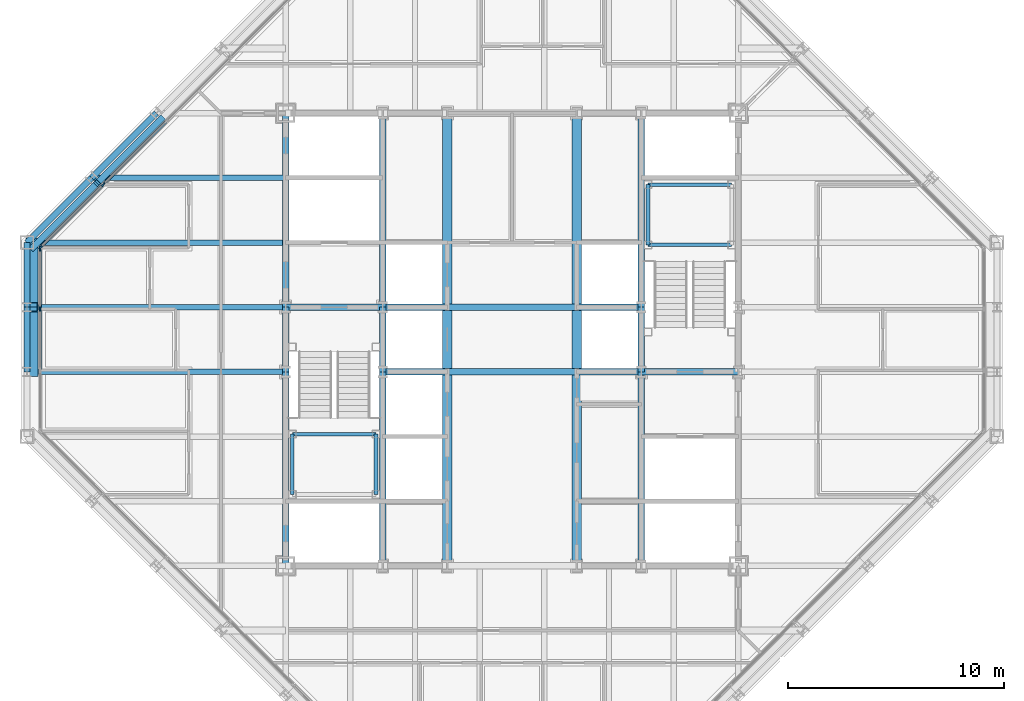
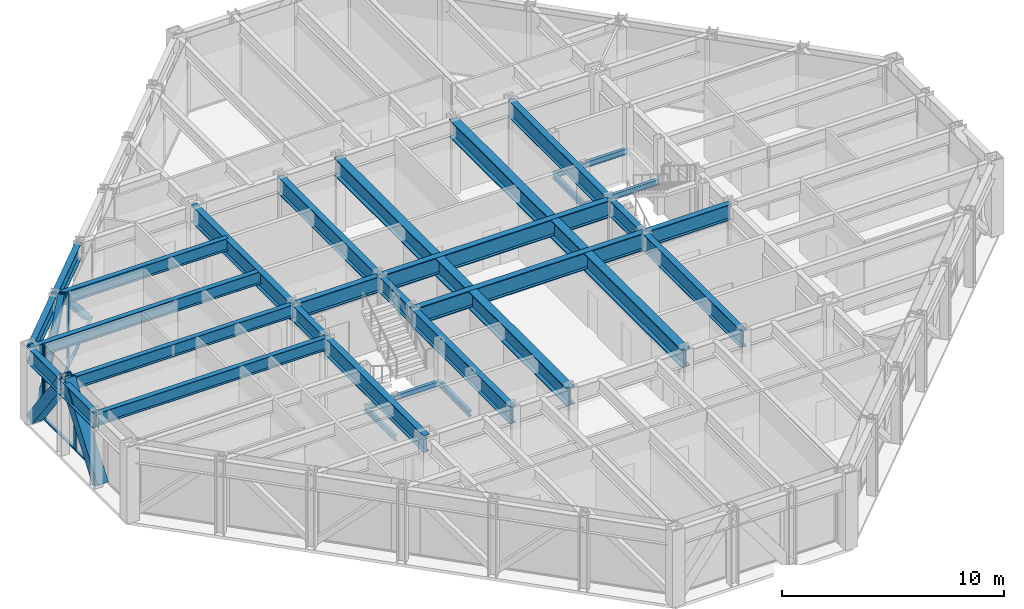
# One storey, part 6 of 15: 33 beams, 12 members, 2 elements without a shape of their own.
"""IFC4 building model written with IfcOpenShell, lengths in metres."""

from ifc_helpers import new_model, si_unit, direction, frame, origin, origin_2d, place, context, subcontext, project, spatial, rectangle, hollow_rectangle, i_section, extrude, material, layer, layer_set, material_profile, profile_set, type_object, element, aggregate, save


model = new_model("IFC4")

# Units and contexts
model_context = context("Model", 3, precision=1e-05, world=origin(), true_north=direction((0.0, 1.0)))
body_context = subcontext(model_context, "Body", "Model", "MODEL_VIEW")
ifc_project = project(units=[si_unit("LENGTHUNIT", "METRE"), si_unit("AREAUNIT", "SQUARE_METRE"), si_unit("VOLUMEUNIT", "CUBIC_METRE"), si_unit("PLANEANGLEUNIT", "RADIAN"), si_unit("MASSUNIT", "GRAM", prefix="KILO")], contexts=[model_context])

# Site, building, storey
site_placement = place(None, origin())
site = spatial("IfcSite", under=ifc_project, at=site_placement, CompositionType="ELEMENT")
building_placement = place(site_placement, origin())
building = spatial("IfcBuilding", under=site, at=building_placement, Name="Chuquiago Exchange Tower", CompositionType="ELEMENT")
storey_placement = place(building_placement, frame((0.0, 0.0, 274.800048828125)))
storey = spatial("IfcBuildingStorey", under=building, at=storey_placement, Name="L61", CompositionType="ELEMENT", Elevation=274.800048828125)

# Beams
ifc_material_1 = material(Name="Steel ASTM A992", Category="steel")
ifc_material_profile_1 = material_profile(ifc_material_1, i_section(OverallWidth=0.25390625, OverallDepth=0.683349609375, WebThickness=0.012451171875, FlangeThickness=0.018798828125, at=origin_2d()), Name="W27X94")
ifc_profile_set_1 = profile_set([ifc_material_profile_1], Name="Steel ASTM A992")
beam_type_1 = type_object("IfcBeamType", Name="B1 W27X94", PredefinedType="BEAM", material=ifc_profile_set_1)
for number, where, z_axis, x_axis, name in (
    (1, (12.0, 21.0, 3.6982421875), (-1.0, 0.0, 0.0), (0.0, -1.0, 0.0), "FB-L62-infill-12_21--0_21-0"),
    (2, (12.0, 24.0, 3.6982421875), (-1.0, 0.0, 0.0), (0.0, -1.0, 0.0), "FB-L62-infill-12_24--0_24-0"),
    (3, (12.0, 27.0, 3.6982421875), (-1.0, 0.0, 0.0), (0.0, -1.0, 0.0), "FB-L62-infill-12_27--0_27-0"),
):
    element("IfcBeam", number, at=place(storey_placement, frame(where, z_axis=z_axis, x_axis=x_axis)), inside=storey, type_object=beam_type_1, Name=name, PredefinedType="BEAM", context=body_context, shape_type="SweptSolid", body=[
        extrude(i_section(OverallWidth=0.25390625, OverallDepth=0.683349609375, WebThickness=0.012451171875, FlangeThickness=0.018798828125, at=origin_2d()), origin(), (0.0, 0.0, 1.0), 12.0),
    ])
beam_1_placement = place(storey_placement, frame((12.0, 30.0, 3.6982421875), z_axis=(-1.0, 0.0, 0.0), x_axis=(0.0, -1.0, 0.0)))
element("IfcBeam", 4, at=beam_1_placement, inside=storey, type_object=beam_type_1, Name="FB-L62-infill-12_30-3_30-0", PredefinedType="BEAM", context=body_context, shape_type="SweptSolid", body=[
    extrude(i_section(OverallWidth=0.25390625, OverallDepth=0.683349609375, WebThickness=0.012451171875, FlangeThickness=0.018798828125, at=origin_2d()), origin(), (0.0, 0.0, 1.0), 9.0),
])
ifc_material_2 = material(Name="Steel ASTM A992", Category="steel")
ifc_material_profile_2 = material_profile(ifc_material_2, i_section(OverallWidth=0.307373046875, OverallDepth=0.927001953125, WebThickness=0.01953125, FlangeThickness=0.031982421875, at=origin_2d()), Name="W36X194")
ifc_profile_set_2 = profile_set([ifc_material_profile_2], Name="Steel ASTM A992")
beam_type_2 = type_object("IfcBeamType", Name="B10 W36X194", PredefinedType="BEAM", material=ifc_profile_set_2)
for number, where, z_axis, x_axis, name in (
    (5, (12.0, 12.0, 3.576416015625), (0.0, 1.0, 0.0), (-1.0, 0.0, 0.0), "CB-L62-12_12-12_21"),
    (6, (12.0, 24.0, 3.576416015625), (0.0, 1.0, 0.0), (-1.0, 0.0, 0.0), "CB-L62-12_24-12_33"),
    (7, (16.5, 12.0, 3.576416015625), (0.0, 1.0, 0.0), (-1.0, 0.0, 0.0), "CB-L62-16.5_12-16.5_21"),
    (8, (16.5, 24.0, 3.576416015625), (0.0, 1.0, 0.0), (-1.0, 0.0, 0.0), "CB-L62-16.5_24-16.5_33"),
    (9, (28.5, 12.0, 3.576416015625), (0.0, 1.0, 0.0), (-1.0, 0.0, 0.0), "CB-L62-28.5_12-28.5_21"),
    (10, (28.5, 24.0, 3.576416015625), (0.0, 1.0, 0.0), (-1.0, 0.0, 0.0), "CB-L62-28.5_24-28.5_33"),
):
    element("IfcBeam", number, at=place(storey_placement, frame(where, z_axis=z_axis, x_axis=x_axis)), inside=storey, type_object=beam_type_2, Name=name, PredefinedType="BEAM", context=body_context, shape_type="SweptSolid", body=[
        extrude(i_section(OverallWidth=0.307373046875, OverallDepth=0.927001953125, WebThickness=0.01953125, FlangeThickness=0.031982421875, at=origin_2d()), origin(), (0.0, 0.0, 1.0), 9.0),
    ])
ifc_material_3 = material(Name="Steel ASTM A992", Category="steel")
ifc_material_profile_3 = material_profile(ifc_material_3, i_section(OverallWidth=0.309814453125, OverallDepth=0.949951171875, WebThickness=0.0244140625, FlangeThickness=0.0439453125, at=origin_2d()), Name="W36X256")
ifc_profile_set_3 = profile_set([ifc_material_profile_3], Name="Steel ASTM A992")
beam_type_3 = type_object("IfcBeamType", Name="B11 W36X256", PredefinedType="BEAM", material=ifc_profile_set_3)
for number, where, z_axis, x_axis, name in (
    (11, (16.5, 21.0, 3.56494140625), (1.0, 0.0, 0.0), (0.0, 1.0, 0.0), "CB-L62-16.5_21-28.5_21"),
    (12, (16.5, 24.0, 3.56494140625), (1.0, 0.0, 0.0), (0.0, 1.0, 0.0), "CB-L62-16.5_24-28.5_24"),
):
    element("IfcBeam", number, at=place(storey_placement, frame(where, z_axis=z_axis, x_axis=x_axis)), inside=storey, type_object=beam_type_3, Name=name, PredefinedType="BEAM", context=body_context, shape_type="SweptSolid", body=[
        extrude(i_section(OverallWidth=0.309814453125, OverallDepth=0.949951171875, WebThickness=0.0244140625, FlangeThickness=0.0439453125, at=origin_2d()), origin(), (0.0, 0.0, 1.0), 12.0),
    ])
ifc_material_4 = material(Name="Steel ASTM A992", Category="steel")
ifc_material_profile_4 = material_profile(ifc_material_4, i_section(OverallWidth=0.4267578125, OverallDepth=0.975341796875, WebThickness=0.031005859375, FlangeThickness=0.055908203125, at=origin_2d()), Name="W36X395")
ifc_profile_set_4 = profile_set([ifc_material_profile_4], Name="Steel ASTM A992")
beam_type_4 = type_object("IfcBeamType", Name="B12 W36X395", PredefinedType="BEAM", material=ifc_profile_set_4)
beam_2_placement = place(storey_placement, frame((19.5, 12.0, 3.55224609375), z_axis=(0.0, 1.0, 0.0), x_axis=(-1.0, 0.0, 0.0)))
element("IfcBeam", 13, at=beam_2_placement, inside=storey, type_object=beam_type_4, Name="CB-L62-19.5_12-19.5_20.8451", PredefinedType="BEAM", context=body_context, shape_type="SweptSolid", body=[
    extrude(i_section(OverallWidth=0.4267578125, OverallDepth=0.975341796875, WebThickness=0.031005859375, FlangeThickness=0.055908203125, at=origin_2d()), origin(), (0.0, 0.0, 1.0), 8.84521484375),
])
beam_3_placement = place(storey_placement, frame((19.5, 21.15478515625, 3.55224609375), z_axis=(0.0, 1.0, 0.0), x_axis=(-1.0, 0.0, 0.0)))
element("IfcBeam", 14, at=beam_3_placement, inside=storey, type_object=beam_type_4, Name="CB-L62-19.5_21.1549-19.5_23.8451", PredefinedType="BEAM", context=body_context, shape_type="SweptSolid", body=[
    extrude(i_section(OverallWidth=0.4267578125, OverallDepth=0.975341796875, WebThickness=0.031005859375, FlangeThickness=0.055908203125, at=origin_2d()), origin(), (0.0, 0.0, 1.0), 2.6904296875),
])
for number, where, z_axis, x_axis, name in (
    (15, (19.5, 24.15478515625, 3.55224609375), (0.0, 1.0, 0.0), (-1.0, 0.0, 0.0), "CB-L62-19.5_24.1549-19.5_33"),
    (16, (25.5, 12.0, 3.55224609375), (0.0, 1.0, 0.0), (-1.0, 0.0, 0.0), "CB-L62-25.5_12-25.5_20.8451"),
):
    element("IfcBeam", number, at=place(storey_placement, frame(where, z_axis=z_axis, x_axis=x_axis)), inside=storey, type_object=beam_type_4, Name=name, PredefinedType="BEAM", context=body_context, shape_type="SweptSolid", body=[
        extrude(i_section(OverallWidth=0.4267578125, OverallDepth=0.975341796875, WebThickness=0.031005859375, FlangeThickness=0.055908203125, at=origin_2d()), origin(), (0.0, 0.0, 1.0), 8.84521484375),
    ])
beam_4_placement = place(storey_placement, frame((25.5, 21.15478515625, 3.55224609375), z_axis=(0.0, 1.0, 0.0), x_axis=(-1.0, 0.0, 0.0)))
element("IfcBeam", 17, at=beam_4_placement, inside=storey, type_object=beam_type_4, Name="CB-L62-25.5_21.1549-25.5_23.8451", PredefinedType="BEAM", context=body_context, shape_type="SweptSolid", body=[
    extrude(i_section(OverallWidth=0.4267578125, OverallDepth=0.975341796875, WebThickness=0.031005859375, FlangeThickness=0.055908203125, at=origin_2d()), origin(), (0.0, 0.0, 1.0), 2.6904296875),
])
beam_5_placement = place(storey_placement, frame((25.5, 24.15478515625, 3.55224609375), z_axis=(0.0, 1.0, 0.0), x_axis=(-1.0, 0.0, 0.0)))
element("IfcBeam", 18, at=beam_5_placement, inside=storey, type_object=beam_type_4, Name="CB-L62-25.5_24.1549-25.5_33", PredefinedType="BEAM", context=body_context, shape_type="SweptSolid", body=[
    extrude(i_section(OverallWidth=0.4267578125, OverallDepth=0.975341796875, WebThickness=0.031005859375, FlangeThickness=0.055908203125, at=origin_2d()), origin(), (0.0, 0.0, 1.0), 8.84521484375),
])
ifc_material_5 = material(Name="Steel ASTM A992", Category="steel")
ifc_material_profile_5 = material_profile(ifc_material_5, i_section(OverallWidth=0.2919921875, OverallDepth=0.8583984375, WebThickness=0.01708984375, FlangeThickness=0.031005859375, at=origin_2d()), Name="W33X169")
ifc_profile_set_5 = profile_set([ifc_material_profile_5], Name="Steel ASTM A992")
beam_type_5 = type_object("IfcBeamType", Name="B3 W33X169", PredefinedType="BEAM", material=ifc_profile_set_5)
for number, where, z_axis, x_axis, name in (
    (19, (12.0, 21.0, 3.610595703125), (0.0, 1.0, 0.0), (-1.0, 0.0, 0.0), "CB-L62-12_21-12_24"),
    (20, (16.5, 21.0, 3.610595703125), (0.0, 1.0, 0.0), (-1.0, 0.0, 0.0), "CB-L62-16.5_21-16.5_24"),
    (21, (28.5, 21.0, 3.610595703125), (0.0, 1.0, 0.0), (-1.0, 0.0, 0.0), "CB-L62-28.5_21-28.5_24"),
):
    element("IfcBeam", number, at=place(storey_placement, frame(where, z_axis=z_axis, x_axis=x_axis)), inside=storey, type_object=beam_type_5, Name=name, PredefinedType="BEAM", context=body_context, shape_type="SweptSolid", body=[
        extrude(i_section(OverallWidth=0.2919921875, OverallDepth=0.8583984375, WebThickness=0.01708984375, FlangeThickness=0.031005859375, at=origin_2d()), origin(), (0.0, 0.0, 1.0), 3.0),
    ])
for number, where, z_axis, x_axis, name in (
    (22, (28.5, 21.0, 3.610595703125), (1.0, 0.0, 0.0), (0.0, 1.0, 0.0), "CB-L62-28.5_21-33_21"),
    (23, (12.0, 24.0, 3.610595703125), (1.0, 0.0, 0.0), (0.0, 1.0, 0.0), "CB-L62-12_24-16.5_24"),
):
    element("IfcBeam", number, at=place(storey_placement, frame(where, z_axis=z_axis, x_axis=x_axis)), inside=storey, type_object=beam_type_5, Name=name, PredefinedType="BEAM", context=body_context, shape_type="SweptSolid", body=[
        extrude(i_section(OverallWidth=0.2919921875, OverallDepth=0.8583984375, WebThickness=0.01708984375, FlangeThickness=0.031005859375, at=origin_2d()), origin(), (0.0, 0.0, 1.0), 4.5),
    ])

# Curtain wall, members
ifc_material_6 = material(Name="Aluminium curtain wall system", Category="aluminium")
ifc_layer_1 = layer(ifc_material_6, 0.22509765625)
ifc_layer_set_1 = layer_set([ifc_layer_1], Name="CW2 office curtain wall")
curtain_wall_type_1 = type_object("IfcCurtainWallType", Name="CW2 office curtain wall", PredefinedType="NOTDEFINED", material=ifc_layer_set_1)
curtain_wall_1_placement = place(storey_placement, origin())
curtain_wall_1 = element("IfcCurtainWall", 24, at=curtain_wall_1_placement, inside=storey, type_object=curtain_wall_type_1, Name="CW2 curtain wall L61", PredefinedType="NOTDEFINED")
ifc_material_7 = material(Name="Aluminium mullion, pale anodised", Category="aluminium")
ifc_material_profile_6 = material_profile(ifc_material_7, rectangle(XDim=0.06494140625, YDim=0.22509765625, at=origin_2d()), Name="AL 65x225")
ifc_profile_set_6 = profile_set([ifc_material_profile_6], Name="Aluminium mullion, pale anodised")
member_type_1 = type_object("IfcMemberType", Name="CW2-M mullion 65x225", PredefinedType="MULLION", material=ifc_profile_set_6)
member_1_placement = place(storey_placement, frame((0.60009765625, 26.718994140625, 0.0), z_axis=(0.0, 0.0, 1.0), x_axis=(1.0, 0.0, 0.0)))
member_1 = element("IfcMember", 25, at=member_1_placement, type_object=member_type_1, Name="CW2 mullion 1", PredefinedType="MULLION", context=body_context, shape_type="SweptSolid", body=[
    extrude(rectangle(XDim=0.06494140625, YDim=0.22509765625, at=origin_2d()), origin(), (0.0, 0.0, 1.0), 4.0400390625),
])
member_2_placement = place(storey_placement, frame((0.60009765625, 23.917236328125, 0.0), z_axis=(0.0, 0.0, 1.0), x_axis=(1.0, 0.0, 0.0)))
member_2 = element("IfcMember", 26, at=member_2_placement, type_object=member_type_1, Name="CW2 mullion 2", PredefinedType="MULLION", context=body_context, shape_type="SweptSolid", body=[
    extrude(rectangle(XDim=0.06494140625, YDim=0.22509765625, at=origin_2d()), origin(), (0.0, 0.0, 1.0), 4.0400390625),
])
ifc_material_8 = material(Name="Aluminium transom, pale anodised", Category="aluminium")
ifc_material_profile_7 = material_profile(ifc_material_8, rectangle(XDim=0.139892578125, YDim=0.06494140625, at=origin_2d()), Name="AL 140x65")
ifc_profile_set_7 = profile_set([ifc_material_profile_7], Name="Aluminium transom, pale anodised")
member_type_2 = type_object("IfcMemberType", Name="CW2-T transom 65x140", PredefinedType="MULLION", material=ifc_profile_set_7)
member_3_placement = place(storey_placement, frame((0.60009765625, 26.6865234375, 0.032470703125), z_axis=(0.0, -1.0, 0.0), x_axis=(1.0, 0.0, 0.0)))
member_3 = element("IfcMember", 27, at=member_3_placement, type_object=member_type_2, Name="CW2 transom 1.1", PredefinedType="MULLION", context=body_context, shape_type="SweptSolid", body=[
    extrude(rectangle(XDim=0.139892578125, YDim=0.06494140625, at=origin_2d()), origin(), (0.0, 0.0, 1.0), 2.73681640625),
])
member_4_placement = place(storey_placement, frame((0.60009765625, 23.884765625, 0.032470703125), z_axis=(0.0, -1.0, 0.0), x_axis=(1.0, 0.0, 0.0)))
member_4 = element("IfcMember", 28, at=member_4_placement, type_object=member_type_2, Name="CW2 transom 2.1", PredefinedType="MULLION", context=body_context, shape_type="SweptSolid", body=[
    extrude(rectangle(XDim=0.139892578125, YDim=0.06494140625, at=origin_2d()), origin(), (0.0, 0.0, 1.0), 2.76953125),
])
aggregate(curtain_wall_1, [member_1, member_2, member_3, member_4])

ifc_material_9 = material(Name="Aluminium curtain wall system", Category="aluminium")
ifc_layer_2 = layer(ifc_material_9, 0.199951171875)
ifc_layer_set_2 = layer_set([ifc_layer_2], Name="CW3 facet curtain wall")
curtain_wall_type_2 = type_object("IfcCurtainWallType", Name="CW3 facet curtain wall", PredefinedType="NOTDEFINED", material=ifc_layer_set_2)
curtain_wall_2_placement = place(storey_placement, origin())
curtain_wall_2 = element("IfcCurtainWall", 29, at=curtain_wall_2_placement, inside=storey, type_object=curtain_wall_type_2, Name="CW3 curtain wall L61", PredefinedType="NOTDEFINED")
ifc_material_10 = material(Name="Aluminium mullion, pale anodised", Category="aluminium")
ifc_material_profile_8 = material_profile(ifc_material_10, rectangle(XDim=0.06494140625, YDim=0.199951171875, at=origin_2d()), Name="AL 65x200")
ifc_profile_set_8 = profile_set([ifc_material_profile_8], Name="Aluminium mullion, pale anodised")
member_type_3 = type_object("IfcMemberType", Name="CW3-M mullion 65x200", PredefinedType="MULLION", material=ifc_profile_set_8)
member_5_placement = place(storey_placement, frame((3.54150390625, 29.69287109375, 0.0), z_axis=(0.0, 0.0, 1.0), x_axis=(0.707106781187, -0.707106781187, 0.0)))
member_5 = element("IfcMember", 30, at=member_5_placement, type_object=member_type_3, Name="CW3 mullion 6", PredefinedType="MULLION", context=body_context, shape_type="SweptSolid", body=[
    extrude(rectangle(XDim=0.06494140625, YDim=0.199951171875, at=origin_2d()), origin(), (0.0, 0.0, 1.0), 4.0400390625),
])
member_6_placement = place(storey_placement, frame((0.623046875, 26.7744140625, 0.0), z_axis=(0.0, 0.0, 1.0), x_axis=(0.707106781187, -0.707106781187, 0.0)))
member_6 = element("IfcMember", 31, at=member_6_placement, type_object=member_type_3, Name="CW3 mullion 7", PredefinedType="MULLION", context=body_context, shape_type="SweptSolid", body=[
    extrude(rectangle(XDim=0.06494140625, YDim=0.199951171875, at=origin_2d()), origin(), (0.0, 0.0, 1.0), 4.0400390625),
])
ifc_material_11 = material(Name="Aluminium transom, pale anodised", Category="aluminium")
ifc_material_profile_9 = material_profile(ifc_material_11, rectangle(XDim=0.139892578125, YDim=0.06494140625, at=origin_2d()), Name="AL 140x65")
ifc_profile_set_9 = profile_set([ifc_material_profile_9], Name="Aluminium transom, pale anodised")
member_type_4 = type_object("IfcMemberType", Name="CW3-T transom 65x140", PredefinedType="MULLION", material=ifc_profile_set_9)
member_7_placement = place(storey_placement, frame((6.4599609375, 32.611328125, 0.032470703125), z_axis=(-0.707106781187, -0.707106781187, 0.0), x_axis=(0.707106781187, -0.707106781187, 0.0)))
member_7 = element("IfcMember", 32, at=member_7_placement, type_object=member_type_4, Name="CW3 transom 5.1", PredefinedType="MULLION", context=body_context, shape_type="SweptSolid", body=[
    extrude(rectangle(XDim=0.139892578125, YDim=0.06494140625, at=origin_2d()), origin(), (0.0, 0.0, 1.0), 4.094970703125),
])
member_8_placement = place(storey_placement, frame((3.5185546875, 29.669921875, 0.032470703125), z_axis=(-0.707106781187, -0.707106781187, 0.0), x_axis=(0.707106781187, -0.707106781187, 0.0)))
member_8 = element("IfcMember", 33, at=member_8_placement, type_object=member_type_4, Name="CW3 transom 6.1", PredefinedType="MULLION", context=body_context, shape_type="SweptSolid", body=[
    extrude(rectangle(XDim=0.139892578125, YDim=0.06494140625, at=origin_2d()), origin(), (0.0, 0.0, 1.0), 4.0625),
])
aggregate(curtain_wall_2, [member_5, member_6, member_7, member_8])

# Members
ifc_material_12 = material(Name="Steel ASTM A500 Grade C", Category="steel")
ifc_material_profile_10 = material_profile(ifc_material_12, hollow_rectangle(XDim=0.3046875, YDim=0.3046875, WallThickness=0.0146484375, at=origin_2d()), Name="HSS12X12X5/8")
ifc_profile_set_10 = profile_set([ifc_material_profile_10], Name="Steel ASTM A500 Grade C")
member_type_5 = type_object("IfcMemberType", Name="LB3 HSS12X12X5/8", PredefinedType="BRACE", material=ifc_profile_set_10)
for number, where, z_axis, x_axis, name in (
    (34, (6.249267578125, 32.750732421875, 0.0), (-0.512077265487, -0.512077265487, 0.689604051861), (0.707106781187, -0.707106781187, 0.0), "LB-L61-6_33-3_30"),
    (35, (0.249267578125, 26.750732421875, 0.0), (0.512077265487, 0.512077265487, 0.689604051861), (-0.707106781187, 0.707106781187, 0.0), "LB-L61-3_30-0_27"),
):
    element("IfcMember", number, at=place(storey_placement, frame(where, z_axis=z_axis, x_axis=x_axis)), inside=storey, type_object=member_type_5, Name=name, PredefinedType="BRACE", context=body_context, shape_type="SweptSolid", body=[
        extrude(hollow_rectangle(XDim=0.3046875, YDim=0.3046875, WallThickness=0.0146484375, at=origin_2d()), origin(), (0.0, 0.0, 1.0), 5.8583984375),
    ])

# Beams
ifc_material_13 = material(Name="Steel ASTM A992", Category="steel")
ifc_material_profile_11 = material_profile(ifc_material_13, i_section(OverallWidth=0.164794921875, OverallDepth=0.309814453125, WebThickness=0.005859375, FlangeThickness=0.009765625, at=origin_2d()), Name="W12X26")
ifc_profile_set_11 = profile_set([ifc_material_profile_11], Name="Steel ASTM A992")
beam_type_6 = type_object("IfcBeamType", Name="LS1 W12X26", PredefinedType="BEAM", material=ifc_profile_set_11)
for number, where, z_axis, x_axis, name in (
    (36, (12.31005859375, 15.31005859375, 1.7451171875), (0.0, 1.0, 0.0), (-1.0, 0.0, 0.0), "Stair ST1 L61 landing 1 stringer"),
    (37, (16.18994140625, 15.31005859375, 1.7451171875), (0.0, 1.0, 0.0), (-1.0, 0.0, 0.0), "Stair ST1 L61 landing 1 stringer"),
    (38, (28.81005859375, 26.889892578125, 1.7451171875), (0.0, 1.0, 0.0), (-1.0, 0.0, 0.0), "Stair ST2 L61 landing 1 stringer"),
):
    element("IfcBeam", number, at=place(storey_placement, frame(where, z_axis=z_axis, x_axis=x_axis)), inside=storey, type_object=beam_type_6, Name=name, PredefinedType="BEAM", context=body_context, shape_type="SweptSolid", body=[
        extrude(i_section(OverallWidth=0.164794921875, OverallDepth=0.309814453125, WebThickness=0.005859375, FlangeThickness=0.009765625, at=origin_2d()), origin(), (0.0, 0.0, 1.0), 2.800048828125),
    ])
ifc_material_14 = material(Name="Steel ASTM A992", Category="steel")
ifc_material_profile_12 = material_profile(ifc_material_14, i_section(OverallWidth=0.164794921875, OverallDepth=0.309814453125, WebThickness=0.005859375, FlangeThickness=0.009765625, at=origin_2d()), Name="W12X26")
ifc_profile_set_12 = profile_set([ifc_material_profile_12], Name="Steel ASTM A992")
beam_type_7 = type_object("IfcBeamType", Name="LT1 W12X26", PredefinedType="BEAM", material=ifc_profile_set_12)
for number, where, z_axis, x_axis, name in (
    (39, (12.31005859375, 18.110107421875, 1.7451171875), (1.0, 0.0, 0.0), (0.0, 1.0, 0.0), "Stair ST1 L61 landing 1 trimmer"),
    (40, (28.81005859375, 29.68994140625, 1.7451171875), (1.0, 0.0, 0.0), (0.0, 1.0, 0.0), "Stair ST2 L61 landing 1 trimmer"),
    (41, (28.81005859375, 26.889892578125, 1.7451171875), (1.0, 0.0, 0.0), (0.0, 1.0, 0.0), "Stair ST2 L61 landing 1 trimmer"),
):
    element("IfcBeam", number, at=place(storey_placement, frame(where, z_axis=z_axis, x_axis=x_axis)), inside=storey, type_object=beam_type_7, Name=name, PredefinedType="BEAM", context=body_context, shape_type="SweptSolid", body=[
        extrude(i_section(OverallWidth=0.164794921875, OverallDepth=0.309814453125, WebThickness=0.005859375, FlangeThickness=0.009765625, at=origin_2d()), origin(), (0.0, 0.0, 1.0), 3.8798828125),
    ])

# Members
ifc_material_15 = material(Name="Steel ASTM A572 Grade 50", Category="steel")
ifc_material_profile_13 = material_profile(ifc_material_15, hollow_rectangle(XDim=0.550048828125, YDim=0.550048828125, WallThickness=0.044921875, at=origin_2d()), Name="BOX550X550X45")
ifc_profile_set_13 = profile_set([ifc_material_profile_13], Name="Steel ASTM A572 Grade 50")
member_type_6 = type_object("IfcMemberType", Name="MB4 BOX550X550X45", PredefinedType="BRACE", material=ifc_profile_set_13)
for number, where, z_axis, x_axis, name in (
    (42, (0.22998046875, 27.0, 0.0), (0.0, -0.596173923302, 0.802855312728), (1.0, 0.0, 0.0), "Mega diagonal L61 W face"),
    (43, (0.22998046875, 21.0, 0.0), (0.0, 0.596173923302, 0.802855312728), (-1.0, 0.0, 0.0), "Mega diagonal L61 W face"),
):
    element("IfcMember", number, at=place(storey_placement, frame(where, z_axis=z_axis, x_axis=x_axis)), inside=storey, type_object=member_type_6, Name=name, PredefinedType="BRACE", context=body_context, shape_type="SweptSolid", body=[
        extrude(hollow_rectangle(XDim=0.550048828125, YDim=0.550048828125, WallThickness=0.044921875, at=origin_2d()), origin(), (0.0, 0.0, 1.0), 5.031982421875),
    ])

# Beams
ifc_material_16 = material(Name="Steel ASTM A992", Category="steel")
ifc_material_profile_14 = material_profile(ifc_material_16, i_section(OverallWidth=0.2919921875, OverallDepth=0.8583984375, WebThickness=0.01708984375, FlangeThickness=0.031005859375, at=origin_2d()), Name="W33X169")
ifc_profile_set_14 = profile_set([ifc_material_profile_14], Name="Steel ASTM A992")
beam_type_8 = type_object("IfcBeamType", Name="SP4 W33X169", PredefinedType="SPANDREL", material=ifc_profile_set_14)
for number, where, z_axis, x_axis, name in (
    (44, (6.0, 33.0, 3.610595703125), (-0.707106781187, -0.707106781187, 0.0), (0.707106781187, -0.707106781187, 0.0), "SPB-L62-6_33-3_30"),
    (45, (3.0, 30.0, 3.610595703125), (-0.707106781187, -0.707106781187, 0.0), (0.707106781187, -0.707106781187, 0.0), "SPB-L62-3_30-0_27"),
):
    element("IfcBeam", number, at=place(storey_placement, frame(where, z_axis=z_axis, x_axis=x_axis)), inside=storey, type_object=beam_type_8, Name=name, PredefinedType="SPANDREL", context=body_context, shape_type="SweptSolid", body=[
        extrude(i_section(OverallWidth=0.2919921875, OverallDepth=0.8583984375, WebThickness=0.01708984375, FlangeThickness=0.031005859375, at=origin_2d()), origin(), (0.0, 0.0, 1.0), 4.24267578125),
    ])
for number, where, z_axis, x_axis, name in (
    (46, (0.0, 27.0, 3.610595703125), (0.0, -1.0, 0.0), (1.0, 0.0, 0.0), "SPB-L62-0_27-0_24"),
    (47, (0.0, 24.0, 3.610595703125), (0.0, -1.0, 0.0), (1.0, 0.0, 0.0), "SPB-L62-0_24-0_21"),
):
    element("IfcBeam", number, at=place(storey_placement, frame(where, z_axis=z_axis, x_axis=x_axis)), inside=storey, type_object=beam_type_8, Name=name, PredefinedType="SPANDREL", context=body_context, shape_type="SweptSolid", body=[
        extrude(i_section(OverallWidth=0.2919921875, OverallDepth=0.8583984375, WebThickness=0.01708984375, FlangeThickness=0.031005859375, at=origin_2d()), origin(), (0.0, 0.0, 1.0), 3.0),
    ])

save(model, "model.ifc")
